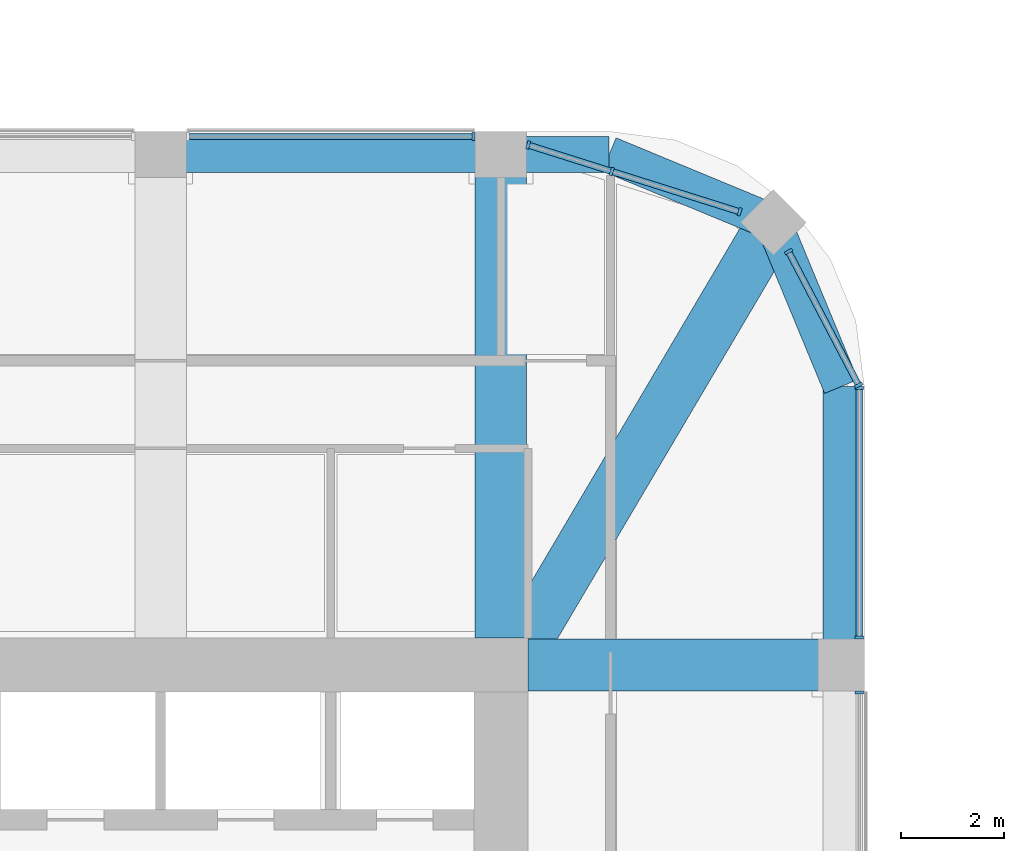
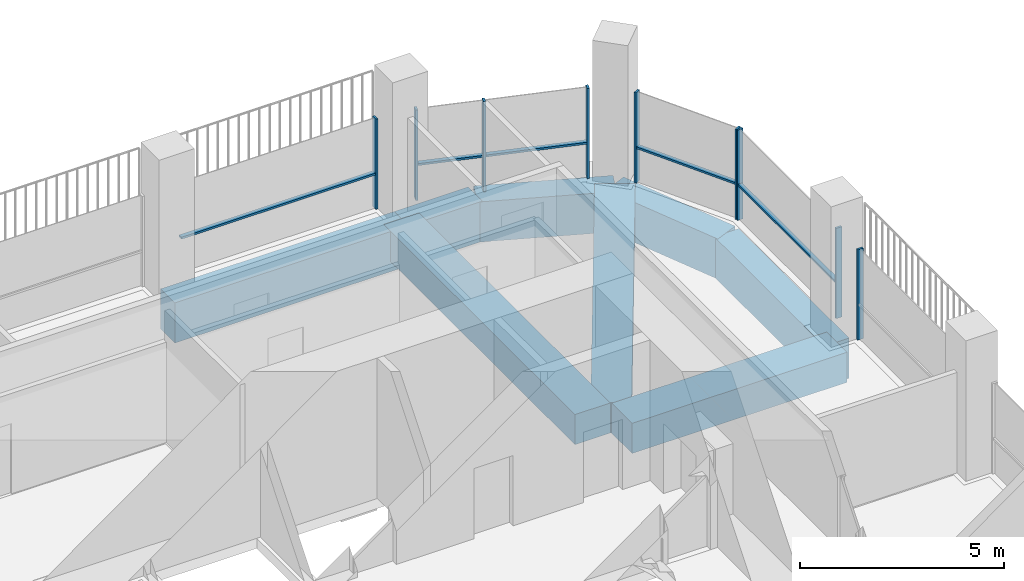
# One storey, part 6 of 19: 14 members, 8 beams, 5 elements without a shape of their own.
"""IFC4 building model written with IfcOpenShell, lengths in metres."""

from ifc_helpers import new_model, si_unit, direction, frame, origin, origin_2d, place, context, subcontext, project, spatial, rectangle, extrude, material, material_profile, profile_set, type_object, element, aggregate, save


model = new_model("IFC4")

# Units and contexts
model_context = context("Model", 3, precision=1e-05, world=origin(), true_north=direction((0.0, 1.0)))
body_context = subcontext(model_context, "Body", "Model", "MODEL_VIEW")
ifc_project = project(units=[si_unit("LENGTHUNIT", "METRE"), si_unit("AREAUNIT", "SQUARE_METRE"), si_unit("VOLUMEUNIT", "CUBIC_METRE"), si_unit("PLANEANGLEUNIT", "RADIAN"), si_unit("MASSUNIT", "GRAM", prefix="KILO")], contexts=[model_context])

# Site, building, storey
site_placement = place(None, origin())
site = spatial("IfcSite", under=ifc_project, at=site_placement, CompositionType="ELEMENT")
building_placement = place(site_placement, origin())
building = spatial("IfcBuilding", under=site, at=building_placement, Name="Cobogo Forest Laboratory Tower", CompositionType="ELEMENT")
storey_placement = place(building_placement, frame((0.0, 0.0, 262.800048828125)))
storey = spatial("IfcBuildingStorey", under=building, at=storey_placement, Name="L60", CompositionType="ELEMENT", Elevation=262.800048828125)

# Curtain wall, member
ifc_material_1 = material(Name="Aluminium curtain wall", Category="aluminium")
curtain_wall_type = type_object("IfcCurtainWallType", Name="CW-2 unitised curtain wall, solar control glazing, laboratory floors zones C and D", PredefinedType="USERDEFINED", material=ifc_material_1)
curtain_wall_1_placement = place(storey_placement, origin())
curtain_wall_1 = element("IfcCurtainWall", 1, at=curtain_wall_1_placement, inside=storey, type_object=curtain_wall_type, Name="Curtain wall 10 L60", ObjectType="UNITISED CURTAIN WALL", PredefinedType="USERDEFINED")
ifc_material_2 = material(Name="Aluminium mullion", Category="aluminium")
ifc_material_profile_1 = material_profile(ifc_material_2, rectangle(XDim=0.06005859375, YDim=0.159912109375, at=origin_2d()), Name="AL 60x160")
ifc_profile_set_1 = profile_set([ifc_material_profile_1], Name="Aluminium mullion")
member_type_1 = type_object("IfcMemberType", Name="MU-1 aluminium mullion 60x160", PredefinedType="MULLION", material=ifc_profile_set_1)
member_1_placement = place(storey_placement, frame((46.550048828125, 32.469970703125, 0.0), z_axis=(0.0, 0.0, 1.0), x_axis=(0.0, 1.0, 0.0)))
member_1 = element("IfcMember", 2, at=member_1_placement, type_object=member_type_1, Name="CW-2 mullion 2", PredefinedType="MULLION", context=body_context, shape_type="SweptSolid", body=[
    extrude(rectangle(XDim=0.06005859375, YDim=0.159912109375, at=origin_2d()), origin(), (0.0, 0.0, 1.0), 2.699951171875),
])
aggregate(curtain_wall_1, [member_1])

# Curtain wall, members
curtain_wall_2_placement = place(storey_placement, origin())
curtain_wall_2 = element("IfcCurtainWall", 3, at=curtain_wall_2_placement, inside=storey, type_object=curtain_wall_type, Name="Curtain wall 11 L60", ObjectType="UNITISED CURTAIN WALL", PredefinedType="USERDEFINED")
member_2_placement = place(storey_placement, frame((46.550048828125, 33.530029296875, 0.0), z_axis=(0.0, 0.0, 1.0), x_axis=(0.0, 1.0, 0.0)))
member_2 = element("IfcMember", 4, at=member_2_placement, type_object=member_type_1, Name="CW-2 mullion 1", PredefinedType="MULLION", context=body_context, shape_type="SweptSolid", body=[
    extrude(rectangle(XDim=0.06005859375, YDim=0.159912109375, at=origin_2d()), origin(), (0.0, 0.0, 1.0), 2.699951171875),
])
member_3_placement = place(storey_placement, frame((46.550048828125, 38.3701171875, 0.0), z_axis=(0.0, 0.0, 1.0), x_axis=(0.0, 1.0, 0.0)))
member_3 = element("IfcMember", 5, at=member_3_placement, type_object=member_type_1, Name="CW-2 mullion 2", PredefinedType="MULLION", context=body_context, shape_type="SweptSolid", body=[
    extrude(rectangle(XDim=0.06005859375, YDim=0.159912109375, at=origin_2d()), origin(), (0.0, 0.0, 1.0), 2.699951171875),
])

curtain_wall_3_placement = place(storey_placement, origin())
curtain_wall_3 = element("IfcCurtainWall", 6, at=curtain_wall_3_placement, inside=storey, type_object=curtain_wall_type, Name="Curtain wall 12 L60", ObjectType="UNITISED CURTAIN WALL", PredefinedType="USERDEFINED")
member_4_placement = place(storey_placement, frame((46.5361328125, 38.426513671875, 0.0), z_axis=(0.0, 0.0, 1.0), x_axis=(-0.464283778337, 0.885686498245, 0.0)))
member_4 = element("IfcMember", 7, at=member_4_placement, type_object=member_type_1, Name="CW-2 mullion 1", PredefinedType="MULLION", context=body_context, shape_type="SweptSolid", body=[
    extrude(rectangle(XDim=0.06005859375, YDim=0.159912109375, at=origin_2d()), origin(), (0.0, 0.0, 1.0), 2.699951171875),
])
member_5_placement = place(storey_placement, frame((45.177978515625, 41.017333984375, 0.0), z_axis=(0.0, 0.0, 1.0), x_axis=(-0.464283778337, 0.885686498245, 0.0)))
member_5 = element("IfcMember", 8, at=member_5_placement, type_object=member_type_1, Name="CW-2 mullion 2", PredefinedType="MULLION", context=body_context, shape_type="SweptSolid", body=[
    extrude(rectangle(XDim=0.06005859375, YDim=0.159912109375, at=origin_2d()), origin(), (0.0, 0.0, 1.0), 2.699951171875),
])

curtain_wall_4_placement = place(storey_placement, origin())
curtain_wall_4 = element("IfcCurtainWall", 9, at=curtain_wall_4_placement, inside=storey, type_object=curtain_wall_type, Name="Curtain wall 13 L60", ObjectType="UNITISED CURTAIN WALL", PredefinedType="USERDEFINED")
member_6_placement = place(storey_placement, frame((44.22998046875, 41.787841796875, 0.0), z_axis=(0.0, 0.0, 1.0), x_axis=(-0.953581379409, 0.301135439371, 0.0)))
member_6 = element("IfcMember", 10, at=member_6_placement, type_object=member_type_1, Name="CW-2 mullion 1", PredefinedType="MULLION", context=body_context, shape_type="SweptSolid", body=[
    extrude(rectangle(XDim=0.06005859375, YDim=0.159912109375, at=origin_2d()), origin(), (0.0, 0.0, 1.0), 2.699951171875),
])
member_7_placement = place(storey_placement, frame((41.7490234375, 42.5712890625, 0.0), z_axis=(0.0, 0.0, 1.0), x_axis=(-0.953581379409, 0.301135439371, 0.0)))
member_7 = element("IfcMember", 11, at=member_7_placement, type_object=member_type_1, Name="CW-2 mullion 2", PredefinedType="MULLION", context=body_context, shape_type="SweptSolid", body=[
    extrude(rectangle(XDim=0.06005859375, YDim=0.159912109375, at=origin_2d()), origin(), (0.0, 0.0, 1.0), 2.699951171875),
])
member_8_placement = place(storey_placement, frame((40.128662109375, 43.0830078125, 0.0), z_axis=(0.0, 0.0, 1.0), x_axis=(-0.953581379409, 0.301135439371, 0.0)))
member_8 = element("IfcMember", 12, at=member_8_placement, type_object=member_type_1, Name="CW-2 mullion 3", PredefinedType="MULLION", context=body_context, shape_type="SweptSolid", body=[
    extrude(rectangle(XDim=0.06005859375, YDim=0.159912109375, at=origin_2d()), origin(), (0.0, 0.0, 1.0), 2.699951171875),
])

# Curtain wall, member
curtain_wall_5_placement = place(storey_placement, origin())
curtain_wall_5 = element("IfcCurtainWall", 13, at=curtain_wall_5_placement, inside=storey, type_object=curtain_wall_type, Name="Curtain wall 14 L60", ObjectType="UNITISED CURTAIN WALL", PredefinedType="USERDEFINED")
member_9_placement = place(storey_placement, frame((39.070068359375, 43.25, 0.0), z_axis=(0.0, 0.0, 1.0), x_axis=(-1.0, 0.0, 0.0)))
member_9 = element("IfcMember", 14, at=member_9_placement, type_object=member_type_1, Name="CW-2 mullion 1", PredefinedType="MULLION", context=body_context, shape_type="SweptSolid", body=[
    extrude(rectangle(XDim=0.06005859375, YDim=0.159912109375, at=origin_2d()), origin(), (0.0, 0.0, 1.0), 2.699951171875),
])

# Beams
ifc_material_3 = material(Name="Concrete HA-40 (C40/50)", Category="concrete")
ifc_material_profile_2 = material_profile(ifc_material_3, rectangle(XDim=1.0, YDim=0.89990234375, at=origin_2d()), Name="RC 1000x900")
ifc_profile_set_2 = profile_set([ifc_material_profile_2], Name="Concrete HA-40 (C40/50)")
beam_type_1 = type_object("IfcBeamType", Name="Office floor wide beam 1000x900", PredefinedType="BEAM", material=ifc_profile_set_2)
beam_1_placement = place(storey_placement, frame((39.60009765625, 33.52490234375, -0.75), z_axis=(0.0, 1.0, 0.0), x_axis=(-1.0, 0.0, 0.0)))
element("IfcBeam", 15, at=beam_1_placement, inside=storey, type_object=beam_type_1, Name="RB2 R-7-N L60", PredefinedType="BEAM", context=body_context, shape_type="SweptSolid", body=[
    extrude(rectangle(XDim=1.0, YDim=0.89990234375, at=origin_2d()), origin(), (0.0, 0.0, 1.0), 9.375),
])
beam_2_placement = place(storey_placement, frame((40.125, 33.0, -0.75), z_axis=(1.0, 0.0, 0.0), x_axis=(0.0, 1.0, 0.0)))
element("IfcBeam", 16, at=beam_2_placement, inside=storey, type_object=beam_type_1, Name="RB2 R-F-E L60", PredefinedType="BEAM", context=body_context, shape_type="SweptSolid", body=[
    extrude(rectangle(XDim=1.0, YDim=0.89990234375, at=origin_2d()), origin(), (0.0, 0.0, 1.0), 6.074951171875),
])
beam_3_placement = place(storey_placement, frame((44.882080078125, 41.58203125, -0.75), z_axis=(-0.508416325908, -0.861111397875, 0.0), x_axis=(0.861111397875, -0.508416325908, 0.0)))
element("IfcBeam", 17, at=beam_3_placement, inside=storey, type_object=beam_type_1, Name="RB2 G-NE-D1 L60", PredefinedType="BEAM", context=body_context, shape_type="SweptSolid", body=[
    extrude(rectangle(XDim=1.0, YDim=0.89990234375, at=origin_2d()), origin(), (0.0, 0.0, 1.0), 9.356689453125),
])
ifc_material_profile_3 = material_profile(ifc_material_3, rectangle(XDim=0.699951171875, YDim=1.199951171875, at=origin_2d()), Name="RC 700x1200")
ifc_profile_set_3 = profile_set([ifc_material_profile_3], Name="Concrete HA-40 (C40/50)")
beam_type_2 = type_object("IfcBeamType", Name="Perimeter edge beam 700x1200", PredefinedType="BEAM", material=ifc_profile_set_3)
beam_4_placement = place(storey_placement, frame((33.0, 42.89990234375, -0.900146484375), z_axis=(1.0, 0.0, 0.0), x_axis=(0.0, 1.0, 0.0)))
element("IfcBeam", 18, at=beam_4_placement, inside=storey, type_object=beam_type_2, Name="EB1 E-N4 L60", PredefinedType="BEAM", context=body_context, shape_type="SweptSolid", body=[
    extrude(rectangle(XDim=0.699951171875, YDim=1.199951171875, at=origin_2d()), origin(), (0.0, 0.0, 1.0), 6.60009765625),
])
beam_5_placement = place(storey_placement, frame((46.199951171875, 33.0, -0.900146484375), z_axis=(0.0, 1.0, 0.0), x_axis=(-1.0, 0.0, 0.0)))
element("IfcBeam", 19, at=beam_5_placement, inside=storey, type_object=beam_type_2, Name="EB1 E-NEE1 L60", PredefinedType="BEAM", context=body_context, shape_type="SweptSolid", body=[
    extrude(rectangle(XDim=0.699951171875, YDim=1.199951171875, at=origin_2d()), origin(), (0.0, 0.0, 1.0), 5.39990234375),
])
beam_6_placement = place(storey_placement, frame((46.199951171875, 38.39990234375, -0.900146484375), z_axis=(-0.382631424892, 0.923901072997, 0.0), x_axis=(-0.923901072997, -0.382631424892, 0.0)))
element("IfcBeam", 20, at=beam_6_placement, inside=storey, type_object=beam_type_2, Name="EB1 E-NEE2 L60", PredefinedType="BEAM", context=body_context, shape_type="SweptSolid", body=[
    extrude(rectangle(XDim=0.699951171875, YDim=1.199951171875, at=origin_2d()), origin(), (0.0, 0.0, 1.0), 3.4443359375),
])
beam_7_placement = place(storey_placement, frame((39.60009765625, 42.89990234375, -0.900146484375), z_axis=(1.0, 0.0, 0.0), x_axis=(0.0, 1.0, 0.0)))
element("IfcBeam", 21, at=beam_7_placement, inside=storey, type_object=beam_type_2, Name="EB1 E-NEN1 L60", PredefinedType="BEAM", context=body_context, shape_type="SweptSolid", body=[
    extrude(rectangle(XDim=0.699951171875, YDim=1.199951171875, at=origin_2d()), origin(), (0.0, 0.0, 1.0), 2.099853515625),
])
beam_8_placement = place(storey_placement, frame((41.699951171875, 42.89990234375, -0.900146484375), z_axis=(0.923901072997, -0.382631424892, 0.0), x_axis=(0.382631424892, 0.923901072997, 0.0)))
element("IfcBeam", 22, at=beam_8_placement, inside=storey, type_object=beam_type_2, Name="EB1 E-NEN2 L60", PredefinedType="BEAM", context=body_context, shape_type="SweptSolid", body=[
    extrude(rectangle(XDim=0.699951171875, YDim=1.199951171875, at=origin_2d()), origin(), (0.0, 0.0, 1.0), 3.4443359375),
])

# Member
ifc_material_4 = material(Name="Aluminium transom", Category="aluminium")
ifc_material_profile_4 = material_profile(ifc_material_4, rectangle(XDim=0.1201171875, YDim=0.06005859375, at=origin_2d()), Name="AL 60x120")
ifc_profile_set_4 = profile_set([ifc_material_profile_4], Name="Aluminium transom")
member_type_2 = type_object("IfcMemberType", Name="TR-1 aluminium transom 60x120", PredefinedType="USERDEFINED", material=ifc_profile_set_4)
member_10_placement = place(storey_placement, frame((46.550048828125, 33.56005859375, 1.050048828125), z_axis=(0.0, 1.0, 0.0), x_axis=(-1.0, 0.0, 0.0)))
member_10 = element("IfcMember", 23, at=member_10_placement, type_object=member_type_2, Name="CW-2 transom 1.1", ObjectType="TRANSOM", PredefinedType="USERDEFINED", context=body_context, shape_type="SweptSolid", body=[
    extrude(rectangle(XDim=0.1201171875, YDim=0.06005859375, at=origin_2d()), origin(), (0.0, 0.0, 1.0), 4.780029296875),
])

aggregate(curtain_wall_2, [member_2, member_3, member_10])

member_11_placement = place(storey_placement, frame((46.522216796875, 38.453125, 1.050048828125), z_axis=(-0.46430944806, 0.885673041501, 0.0), x_axis=(-0.885673041501, -0.46430944806, 0.0)))
member_11 = element("IfcMember", 24, at=member_11_placement, type_object=member_type_2, Name="CW-2 transom 1.1", ObjectType="TRANSOM", PredefinedType="USERDEFINED", context=body_context, shape_type="SweptSolid", body=[
    extrude(rectangle(XDim=0.1201171875, YDim=0.06005859375, at=origin_2d()), origin(), (0.0, 0.0, 1.0), 2.865234375),
])

aggregate(curtain_wall_3, [member_4, member_5, member_11])

member_12_placement = place(storey_placement, frame((44.201416015625, 41.796875, 1.050048828125), z_axis=(-0.953587019958, 0.301117577314, 0.0), x_axis=(-0.301117577314, -0.953587019958, 0.0)))
member_12 = element("IfcMember", 25, at=member_12_placement, type_object=member_type_2, Name="CW-2 transom 1.1", ObjectType="TRANSOM", PredefinedType="USERDEFINED", context=body_context, shape_type="SweptSolid", body=[
    extrude(rectangle(XDim=0.1201171875, YDim=0.06005859375, at=origin_2d()), origin(), (0.0, 0.0, 1.0), 2.541748046875),
])

member_13_placement = place(storey_placement, frame((41.720458984375, 42.580322265625, 1.050048828125), z_axis=(-0.953582665134, 0.301131367937, 0.0), x_axis=(-0.301131367937, -0.953582665134, 0.0)))
member_13 = element("IfcMember", 26, at=member_13_placement, type_object=member_type_2, Name="CW-2 transom 2.1", ObjectType="TRANSOM", PredefinedType="USERDEFINED", context=body_context, shape_type="SweptSolid", body=[
    extrude(rectangle(XDim=0.1201171875, YDim=0.06005859375, at=origin_2d()), origin(), (0.0, 0.0, 1.0), 1.639404296875),
])

aggregate(curtain_wall_4, [member_6, member_7, member_8, member_12, member_13])

member_14_placement = place(storey_placement, frame((39.0400390625, 43.25, 1.050048828125), z_axis=(-1.0, 0.0, 0.0), x_axis=(0.0, -1.0, 0.0)))
member_14 = element("IfcMember", 27, at=member_14_placement, type_object=member_type_2, Name="CW-2 transom 1.1", ObjectType="TRANSOM", PredefinedType="USERDEFINED", context=body_context, shape_type="SweptSolid", body=[
    extrude(rectangle(XDim=0.1201171875, YDim=0.06005859375, at=origin_2d()), origin(), (0.0, 0.0, 1.0), 5.47998046875),
])

aggregate(curtain_wall_5, [member_9, member_14])

save(model, "model.ifc")
